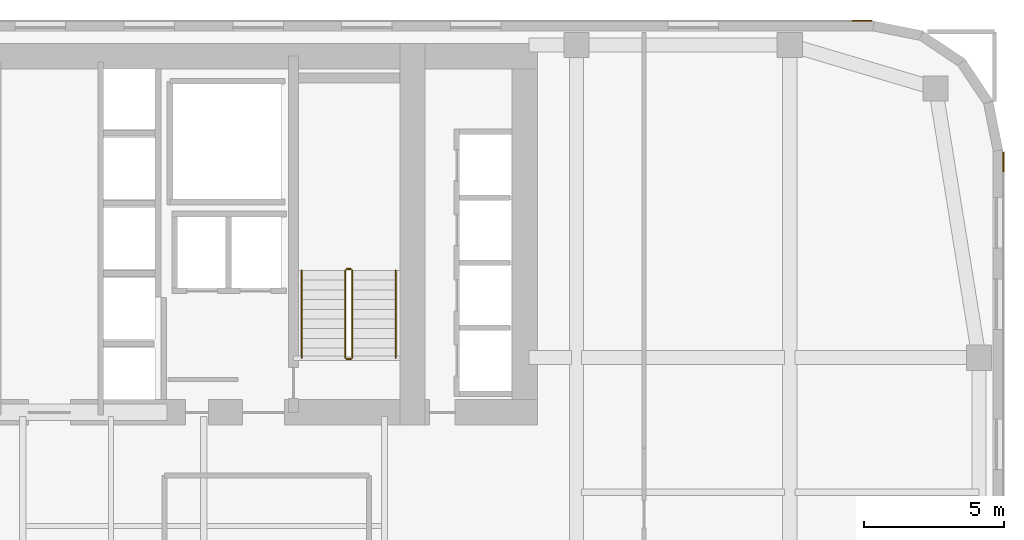
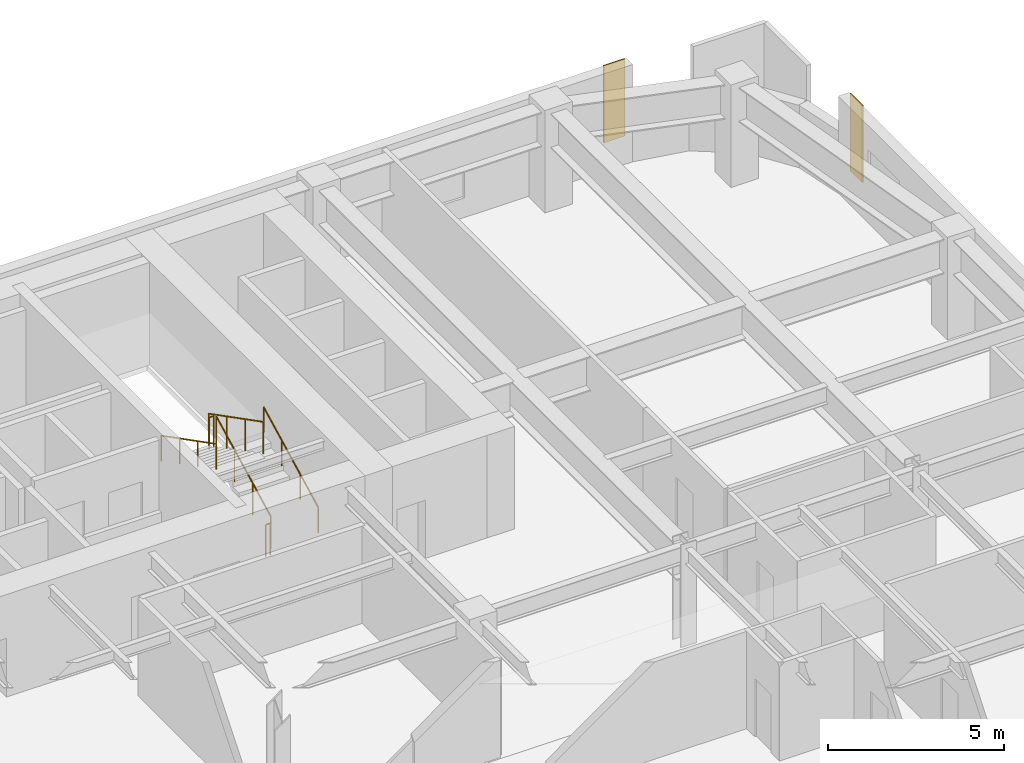
# One storey, part 24 of 24: 6 railings, 2 coverings.
"""IFC4 building model written with IfcOpenShell, lengths in metres."""

from ifc_helpers import new_model, si_unit, direction, frame, origin, origin_2d, place, context, subcontext, project, spatial, polyline, circle, outline, extrude, material, layer, layer_set, type_object, element, save


model = new_model("IFC4")

# Units and contexts
model_context = context("Model", 3, precision=1e-05, world=origin(), true_north=direction((0.0, 1.0)))
body_context = subcontext(model_context, "Body", "Model", "MODEL_VIEW")
ifc_project = project(units=[si_unit("LENGTHUNIT", "METRE"), si_unit("AREAUNIT", "SQUARE_METRE"), si_unit("VOLUMEUNIT", "CUBIC_METRE"), si_unit("PLANEANGLEUNIT", "RADIAN"), si_unit("MASSUNIT", "GRAM", prefix="KILO")], contexts=[model_context])

# Site, building, storey
site_placement = place(None, origin())
site = spatial("IfcSite", under=ifc_project, at=site_placement, CompositionType="ELEMENT")
building_placement = place(site_placement, origin())
building = spatial("IfcBuilding", under=site, at=building_placement, Name="Tolvann Quenvar Hotel", CompositionType="ELEMENT")
storey_placement = place(building_placement, frame((0.0, 0.0, 81.699951171875)))
storey = spatial("IfcBuildingStorey", under=building, at=storey_placement, Name="L20", CompositionType="ELEMENT", Elevation=81.699951171875)

# Coverings
ifc_material_1 = material(Name="Kiln-fired red architectural face brick cladding", Category="masonry")
ifc_layer = layer(ifc_material_1, 0.0400390625)
ifc_layer_set = layer_set([ifc_layer], Name="Kiln-fired red architectural face brick cladding")
covering_type = type_object("IfcCoveringType", Name="COV_CLAD_BRICK_40", PredefinedType="CLADDING", material=ifc_layer_set)
covering_1_placement = place(storey_placement, frame((0.0, 0.0, 0.699951171875)))
element("IfcCovering", 1, at=covering_1_placement, inside=storey, type_object=covering_type, Name="Brick Pier Cladding (L20-E13-P2)", PredefinedType="CLADDING", context=body_context, shape_type="SweptSolid", body=[
    extrude(outline(polyline([(57.0, 40.6328125), (57.0, 41.332763671875), (57.0400390625, 41.332763671875), (57.0400390625, 40.6328125), (57.0, 40.6328125)])), origin(), (0.0, 0.0, 1.0), 2.670166015625),
])
covering_2_placement = place(storey_placement, frame((0.0, 0.0, 0.699951171875)))
element("IfcCovering", 2, at=covering_2_placement, inside=storey, type_object=covering_type, Name="Brick Pier Cladding (L20-E18-P1)", PredefinedType="CLADDING", context=body_context, shape_type="SweptSolid", body=[
    extrude(outline(polyline([(52.332763671875, 46.0), (51.6328125, 46.0), (51.6328125, 46.0400390625), (52.332763671875, 46.0400390625), (52.332763671875, 46.0)])), origin(), (0.0, 0.0, 1.0), 2.670166015625),
])

# Railings
ifc_material_2 = material(Name="Brushed 316 stainless steel balustrade and handrail", Category="steel")
railing_type_1 = type_object("IfcRailingType", Name="GUARDRAIL", PredefinedType="GUARDRAIL", material=ifc_material_2)
railing_1_placement = place(storey_placement, frame((33.800048828125, 34.0, 0.177490234375)))
element("IfcRailing", 3, at=railing_1_placement, inside=storey, type_object=railing_type_1, Name="L20 ST-C2 stair guard 1", PredefinedType="GUARDRAIL", context=body_context, shape_type="SweptSolid", body=[
    extrude(circle(Radius=0.02392578125, at=origin_2d()), frame((0.0, 0.0, 1.09619140625), z_axis=(0.0, 0.88919353882, 0.457531256332), x_axis=(-1.0, 0.0, 0.0)), (0.0, 0.0, 1.0), 3.491943359375),
    extrude(circle(Radius=0.02099609375, at=origin_2d()), origin(), (0.0, 0.0, 1.0), 1.072021484375),
    extrude(circle(Radius=0.02099609375, at=origin_2d()), frame((0.0, 1.034912109375, 0.532470703125)), (0.0, 0.0, 1.0), 1.072021484375),
    extrude(circle(Radius=0.02099609375, at=origin_2d()), frame((0.0, 2.070068359375, 1.065185546875)), (0.0, 0.0, 1.0), 1.072021484375),
    extrude(circle(Radius=0.02099609375, at=origin_2d()), frame((0.0, 3.10498046875, 1.59765625)), (0.0, 0.0, 1.0), 1.072021484375),
])
railing_2_placement = place(storey_placement, frame((33.75, 37.155029296875, 1.775146484375)))
element("IfcRailing", 4, at=railing_2_placement, inside=storey, type_object=railing_type_1, Name="L20 ST-C2 stair guard 2", PredefinedType="GUARDRAIL", context=body_context, shape_type="SweptSolid", body=[
    extrude(circle(Radius=0.02392578125, at=origin_2d()), frame((0.0, 0.0, 1.09619140625), z_axis=(-1.0, 0.0, 0.0), x_axis=(0.0, -1.0, 0.0)), (0.0, 0.0, 1.0), 0.14990234375),
    extrude(circle(Radius=0.02099609375, at=origin_2d()), origin(), (0.0, 0.0, 1.0), 1.072021484375),
    extrude(circle(Radius=0.02099609375, at=origin_2d()), frame((-0.14990234375, 0.0, 0.0)), (0.0, 0.0, 1.0), 1.072021484375),
])
railing_3_placement = place(storey_placement, frame((33.550048828125, 37.10498046875, 1.95263671875)))
element("IfcRailing", 5, at=railing_3_placement, inside=storey, type_object=railing_type_1, Name="L20 ST-C2 stair guard 3", PredefinedType="GUARDRAIL", context=body_context, shape_type="SweptSolid", body=[
    extrude(circle(Radius=0.02392578125, at=origin_2d()), frame((0.0, 0.0, 1.09619140625), z_axis=(0.0, -0.889221982265, 0.45747597342), x_axis=(1.0, 0.0, 0.0)), (0.0, 0.0, 1.0), 3.49169921875),
    extrude(circle(Radius=0.02099609375, at=origin_2d()), origin(), (0.0, 0.0, 1.0), 1.072021484375),
    extrude(circle(Radius=0.02099609375, at=origin_2d()), frame((0.0, -1.034912109375, 0.532470703125)), (0.0, 0.0, 1.0), 1.072021484375),
    extrude(circle(Radius=0.02099609375, at=origin_2d()), frame((0.0, -2.070068359375, 1.06494140625)), (0.0, 0.0, 1.0), 1.072021484375),
    extrude(circle(Radius=0.02099609375, at=origin_2d()), frame((0.0, -3.10498046875, 1.597412109375)), (0.0, 0.0, 1.0), 1.072021484375),
])
railing_4_placement = place(storey_placement, frame((33.75, 33.949951171875, 0.0)))
element("IfcRailing", 6, at=railing_4_placement, inside=storey, type_object=railing_type_1, Name="L20 ST-C2 stair guard 4", PredefinedType="GUARDRAIL", context=body_context, shape_type="SweptSolid", body=[
    extrude(circle(Radius=0.02392578125, at=origin_2d()), frame((0.0, 0.0, 1.09619140625), z_axis=(-1.0, 0.0, 0.0), x_axis=(0.0, -1.0, 0.0)), (0.0, 0.0, 1.0), 0.14990234375),
    extrude(circle(Radius=0.02099609375, at=origin_2d()), origin(), (0.0, 0.0, 1.0), 1.072021484375),
    extrude(circle(Radius=0.02099609375, at=origin_2d()), frame((-0.14990234375, 0.0, 0.0)), (0.0, 0.0, 1.0), 1.072021484375),
])
railing_type_2 = type_object("IfcRailingType", Name="HANDRAIL", PredefinedType="HANDRAIL", material=ifc_material_2)
railing_5_placement = place(storey_placement, frame((35.35009765625, 34.0, 0.177490234375)))
element("IfcRailing", 7, at=railing_5_placement, inside=storey, type_object=railing_type_2, Name="L20 ST-C2 stair handrail 1", PredefinedType="HANDRAIL", context=body_context, shape_type="SweptSolid", body=[
    extrude(circle(Radius=0.02392578125, at=origin_2d()), frame((0.0, 0.0, 0.8759765625), z_axis=(0.0, 0.88919353882, 0.457531256332), x_axis=(-1.0, 0.0, 0.0)), (0.0, 0.0, 1.0), 3.491943359375),
    extrude(circle(Radius=0.02099609375, at=origin_2d()), origin(), (0.0, 0.0, 1.0), 0.851806640625),
    extrude(circle(Radius=0.02099609375, at=origin_2d()), frame((0.0, 1.034912109375, 0.532470703125)), (0.0, 0.0, 1.0), 0.851806640625),
    extrude(circle(Radius=0.02099609375, at=origin_2d()), frame((0.0, 2.070068359375, 1.065185546875)), (0.0, 0.0, 1.0), 0.851806640625),
    extrude(circle(Radius=0.02099609375, at=origin_2d()), frame((0.0, 3.10498046875, 1.59765625)), (0.0, 0.0, 1.0), 0.851806640625),
])
railing_6_placement = place(storey_placement, frame((32.0, 37.10498046875, 1.95263671875)))
element("IfcRailing", 8, at=railing_6_placement, inside=storey, type_object=railing_type_2, Name="L20 ST-C2 stair handrail 2", PredefinedType="HANDRAIL", context=body_context, shape_type="SweptSolid", body=[
    extrude(circle(Radius=0.02392578125, at=origin_2d()), frame((0.0, 0.0, 0.8759765625), z_axis=(0.0, -0.889221982265, 0.45747597342), x_axis=(1.0, 0.0, 0.0)), (0.0, 0.0, 1.0), 3.49169921875),
    extrude(circle(Radius=0.02099609375, at=origin_2d()), origin(), (0.0, 0.0, 1.0), 0.851806640625),
    extrude(circle(Radius=0.02099609375, at=origin_2d()), frame((0.0, -1.034912109375, 0.532470703125)), (0.0, 0.0, 1.0), 0.851806640625),
    extrude(circle(Radius=0.02099609375, at=origin_2d()), frame((0.0, -2.070068359375, 1.06494140625)), (0.0, 0.0, 1.0), 0.851806640625),
    extrude(circle(Radius=0.02099609375, at=origin_2d()), frame((0.0, -3.10498046875, 1.597412109375)), (0.0, 0.0, 1.0), 0.851806640625),
])

save(model, "model.ifc")
